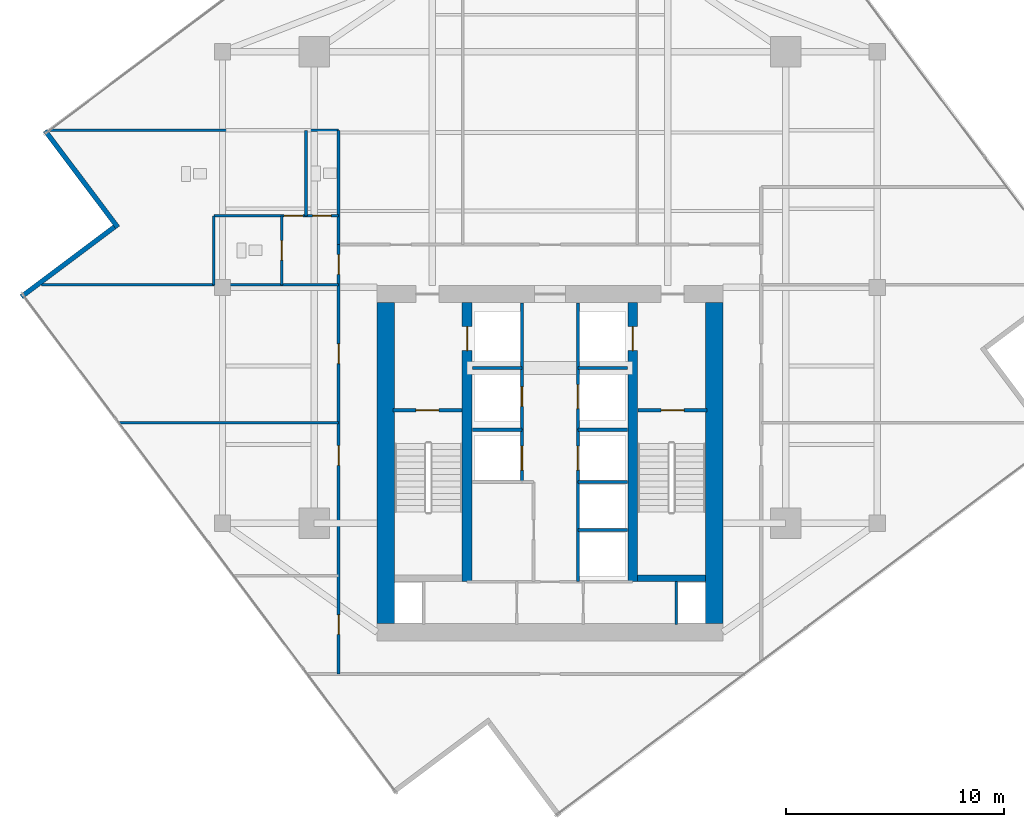
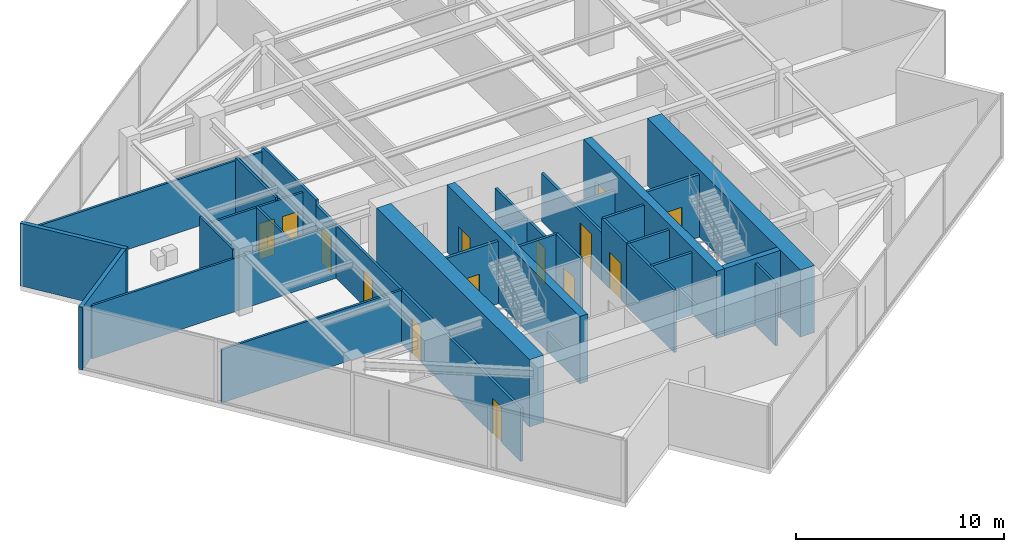
# One storey, part 18 of 21: 30 walls, 15 doors, 15 openings.
"""IFC4 building model written with IfcOpenShell, lengths in metres."""

import ifcopenshell
import ifcopenshell.guid

model = None  # the IFC model being written
_history = None  # IfcOwnerHistory: only IFC2X3 demands one
_inside = {}  # id of a spatial element -> (the spatial element, [elements in it])
_under = {}  # id of a project, library or spatial element -> (it, [spatial elements below it])
_declared = {}  # id of a project -> (the project, [libraries it declares])
_typed = {}  # id of a type object -> (the type object, [elements of that type])
_made_of = {}  # id of a material, layer set ... -> (it, [elements and type objects made of it])


def new_model(schema):
    """Start an empty IFC model of exactly this schema.

    Asked for "IFC4X3", IfcOpenShell would pick the latest addendum, in which some entities
    have other attributes; the version numbers below select the first issue.
    IFC2X3 requires an IfcOwnerHistory on every rooted entity: one is made here for all.
    """
    global model, _history
    if schema == "IFC4X3":
        model = ifcopenshell.file(schema_version=(4, 3, 0, 0))
    else:
        model = ifcopenshell.file(schema=schema)
    _inside.clear()
    _under.clear()
    _declared.clear()
    _typed.clear()
    _made_of.clear()
    _history = None
    if model.schema == "IFC2X3":
        org = make("IfcOrganization", Name="unknown")
        user = make(
            "IfcPersonAndOrganization",
            ThePerson=make("IfcPerson", FamilyName="unknown"),
            TheOrganization=org,
        )
        app = make(
            "IfcApplication",
            ApplicationDeveloper=org,
            Version="unknown",
            ApplicationFullName="unknown",
            ApplicationIdentifier="unknown",
        )
        _history = make(
            "IfcOwnerHistory",
            OwningUser=user,
            OwningApplication=app,
            ChangeAction="ADDED",
            CreationDate=0,
        )
    return model


def make(cls, **values):
    """One entity of the class cls with the attributes given. An attribute that is None is left unset."""
    return model.create_entity(
        cls, **{name: value for name, value in values.items() if value is not None}
    )


def rooted(cls, **values):
    """An entity with a GlobalId (a new one), such as an element, a storey or a relation."""
    return make(cls, GlobalId=ifcopenshell.guid.new(), OwnerHistory=_history, **values)


def si_unit(unit_type, name, prefix=None):
    """IfcSIUnit, for example si_unit("LENGTHUNIT", "METRE", prefix="MILLI")."""
    return make("IfcSIUnit", UnitType=unit_type, Prefix=prefix, Name=name)


def assignment(units):
    """IfcUnitAssignment: the units of a project."""
    return None if units is None else make("IfcUnitAssignment", Units=units)


def point(xyz):
    """IfcCartesianPoint."""
    return None if xyz is None else make("IfcCartesianPoint", Coordinates=xyz)


def direction(xyz):
    """IfcDirection."""
    return None if xyz is None else make("IfcDirection", DirectionRatios=xyz)


def frame(location, z_axis=None, x_axis=None):
    """IfcAxis2Placement3D, a coordinate frame: its origin and axes. An axis left out is left unset."""
    return make(
        "IfcAxis2Placement3D",
        Location=point(location),
        Axis=direction(z_axis),
        RefDirection=direction(x_axis),
    )


def frame_2d(location, x_axis=None):
    """IfcAxis2Placement2D, a coordinate frame in the plane: its origin and x axis."""
    return make(
        "IfcAxis2Placement2D", Location=point(location), RefDirection=direction(x_axis)
    )


def origin():
    """The frame at (0, 0, 0) with its axes left unset."""
    return frame((0.0, 0.0, 0.0))


def place(relative_to, where):
    """IfcLocalPlacement: puts the frame where relative to a parent placement (None: the world)."""
    return make(
        "IfcLocalPlacement", PlacementRelTo=relative_to, RelativePlacement=where
    )


def context(
    kind, dimensions, precision=None, world=None, true_north=None, identifier=None
):
    """IfcGeometricRepresentationContext, for example the 3D "Model" context."""
    return make(
        "IfcGeometricRepresentationContext",
        ContextIdentifier=identifier,
        ContextType=kind,
        CoordinateSpaceDimension=dimensions,
        Precision=precision,
        WorldCoordinateSystem=world,
        TrueNorth=true_north,
    )


def subcontext(parent, identifier, kind, view, scale=None):
    """IfcGeometricRepresentationSubContext, for example "Body" below "Model"."""
    return make(
        "IfcGeometricRepresentationSubContext",
        ContextIdentifier=identifier,
        ContextType=kind,
        ParentContext=parent,
        TargetScale=scale,
        TargetView=view,
    )


def project(units=None, contexts=None):
    """IfcProject with its units and contexts."""
    return rooted(
        "IfcProject",
        Name="project",
        RepresentationContexts=contexts,
        UnitsInContext=assignment(units),
    )


def spatial(cls, under=None, at=None, **own):
    """A site, building, storey or space (cls), placed at a placement, below another one or the project."""
    s = rooted(cls, ObjectPlacement=at, **own)
    if under is not None:
        _under.setdefault(under.id(), (under, []))[1].append(s)
    return s


def profile(cls, at=None, kind="AREA", **sizes):
    """A parametric profile (cls). Its sizes go by their IFC names, for example OverallWidth=200.0."""
    return make(cls, ProfileType=kind, Position=at, **sizes)


def rectangle(**sizes):
    """IfcRectangleProfileDef."""
    return profile("IfcRectangleProfileDef", **sizes)


def extrude(swept, where, along, depth):
    """IfcExtrudedAreaSolid: the profile swept, set in the frame where, extruded along a direction by depth."""
    return make(
        "IfcExtrudedAreaSolid",
        SweptArea=swept,
        Position=where,
        ExtrudedDirection=direction(along),
        Depth=depth,
    )


def shape(context_of_items, identifier, shape_type, items):
    """IfcShapeRepresentation: the items that make up one representation, for example the "Body"."""
    return make(
        "IfcShapeRepresentation",
        ContextOfItems=context_of_items,
        RepresentationIdentifier=identifier,
        RepresentationType=shape_type,
        Items=items,
    )


def material(Name=None, Category=None):
    """IfcMaterial."""
    return make("IfcMaterial", Name=Name, Category=Category)


def layer(
    of_material, thickness, ventilated=None, Name=None, Category=None, Priority=None
):
    """IfcMaterialLayer: one layer of a wall or slab, of a material (None: an air gap)."""
    return make(
        "IfcMaterialLayer",
        Material=of_material,
        LayerThickness=thickness,
        IsVentilated=ventilated,
        Name=Name,
        Category=Category,
        Priority=Priority,
    )


def layer_set(layers, Name=None):
    """IfcMaterialLayerSet."""
    return make("IfcMaterialLayerSet", MaterialLayers=layers, LayerSetName=Name)


def made_of(thing, what):
    """Note that an element or type object is made of a material, layer set ...; save() writes the relation."""
    if what is not None:
        _made_of.setdefault(what.id(), (what, []))[1].append(thing)
    return thing


def type_object(cls, material=None, **own):
    """A type object (cls), such as IfcWallType, which elements share."""
    return made_of(rooted(cls, **own), material)


def element(
    cls,
    number,
    at=None,
    inside=None,
    cuts=None,
    type_object=None,
    material=None,
    context=None,
    identifier="Body",
    shape_type=None,
    held_by="IfcProductDefinitionShape",
    body=None,
    shapes=None,
    **own,
):
    """One element of the class cls, such as IfcWall. Its Tag is "e" and its number.

    at: its placement. inside: the storey or other place that contains it. cuts: it is an
    opening in that element (IfcRelVoidsElement). A single representation is given by context,
    identifier, shape_type and body (its items); several are given by shapes. held_by: the class
    of the entity that holds the representations. save() writes the other relations.
    """
    e = rooted(cls, Tag="e%d" % number, ObjectPlacement=at, **own)
    if body is not None:
        shapes = [shape(context, identifier, shape_type, body)]
    if shapes is not None:
        e.Representation = make(held_by, Representations=shapes)
    if inside is not None:
        _inside.setdefault(inside.id(), (inside, []))[1].append(e)
    if cuts is not None:
        rooted(
            "IfcRelVoidsElement", RelatingBuildingElement=cuts, RelatedOpeningElement=e
        )
    if type_object is not None:
        _typed.setdefault(type_object.id(), (type_object, []))[1].append(e)
    return made_of(e, material)


def fill(opening, filler):
    """IfcRelFillsElement: the door or window that sits in an opening."""
    return rooted(
        "IfcRelFillsElement",
        RelatingOpeningElement=opening,
        RelatedBuildingElement=filler,
    )


def aggregate(whole, parts):
    """IfcRelAggregates: a whole, such as a stair, and the parts it consists of."""
    return rooted("IfcRelAggregates", RelatingObject=whole, RelatedObjects=parts)


def save(model, path):
    """Write the relations noted so far, then the file.

    IfcRelAggregates (storeys below a building ...), IfcRelContainedInSpatialStructure (elements
    in a storey), IfcRelDefinesByType, IfcRelAssociatesMaterial and IfcRelDeclares: one each for
    every whole, place, type object, material and project.
    """
    for whole, parts in _under.values():
        aggregate(whole, parts)
    for where, things in _inside.values():
        rooted(
            "IfcRelContainedInSpatialStructure",
            RelatedElements=things,
            RelatingStructure=where,
        )
    for kind, things in _typed.values():
        rooted("IfcRelDefinesByType", RelatedObjects=things, RelatingType=kind)
    for what, things in _made_of.values():
        rooted("IfcRelAssociatesMaterial", RelatedObjects=things, RelatingMaterial=what)
    for by, libraries in _declared.values():
        rooted("IfcRelDeclares", RelatingContext=by, RelatedDefinitions=libraries)
    model.write(path)


model = new_model("IFC4")

# Units and contexts
model_context = context("Model", 3, precision=1e-05, world=origin(), true_north=direction((0.0, 1.0)))
body_context = subcontext(model_context, "Body", "Model", "MODEL_VIEW")
ifc_project = project(units=[si_unit("LENGTHUNIT", "METRE"), si_unit("AREAUNIT", "SQUARE_METRE"), si_unit("VOLUMEUNIT", "CUBIC_METRE"), si_unit("PLANEANGLEUNIT", "RADIAN"), si_unit("MASSUNIT", "GRAM", prefix="KILO")], contexts=[model_context])

# Site, building, storey
site_placement = place(None, origin())
site = spatial("IfcSite", under=ifc_project, at=site_placement, CompositionType="ELEMENT")
building_placement = place(site_placement, origin())
building = spatial("IfcBuilding", under=site, at=building_placement, Name="Krantzveldt Concourse Tower", CompositionType="ELEMENT")
storey_placement = place(building_placement, frame((0.0, 0.0, 267.39990234375)))
storey = spatial("IfcBuildingStorey", under=building, at=storey_placement, Name="L65", CompositionType="ELEMENT", Elevation=267.39990234375)

# Walls
ifc_material_1 = material(Name="Anodised aluminium 6063-T6", Category="aluminium")
ifc_layer_1 = layer(ifc_material_1, 0.219970703125, Name="Anodised aluminium 6063-T6", Category="aluminium")
ifc_layer_set_1 = layer_set([ifc_layer_1], Name="Anodised aluminium 6063-T6 (WL-EXT-NOTCH220)")
wall_type_1 = type_object("IfcWallType", Name="WL-EXT-NOTCH220", PredefinedType="ELEMENTEDWALL", material=ifc_layer_set_1)
wall_1_placement = place(storey_placement, frame((12.872314453125, 33.884033203125, 0.0), z_axis=(0.0, 0.0, 1.0), x_axis=(0.600063399047, -0.799952446789, 0.0)))
element("IfcWall", 1, at=wall_1_placement, inside=storey, type_object=wall_type_1, Name="EW-L65-NCH02", PredefinedType="ELEMENTEDWALL", context=body_context, shape_type="SweptSolid", body=[
    extrude(rectangle(XDim=5.545166015625, YDim=0.219970703125, at=frame_2d((2.7724609375, 0.0))), origin(), (0.0, 0.0, 1.0), 3.670166015625),
])
wall_2_placement = place(storey_placement, frame((16.045654296875, 29.47021484375, 0.0), z_axis=(0.0, 0.0, 1.0), x_axis=(-0.799939474344, -0.600080692395, 0.0)))
element("IfcWall", 2, at=wall_2_placement, inside=storey, type_object=wall_type_1, Name="EW-L65-NCH03", PredefinedType="ELEMENTEDWALL", context=body_context, shape_type="SweptSolid", body=[
    extrude(rectangle(XDim=5.32470703125, YDim=0.219970703125, at=frame_2d((2.662353515625, 0.0))), origin(), (0.0, 0.0, 1.0), 3.670166015625),
])
ifc_material_2 = material(Name="Fire-rated gypsum plasterboard on steel stud", Category="steel")
ifc_layer_2 = layer(ifc_material_2, 0.1201171875, Name="Fire-rated gypsum plasterboard on steel stud", Category="steel")
ifc_layer_set_2 = layer_set([ifc_layer_2], Name="Fire-rated gypsum plasterboard on steel stud (WL-PART-120)")
wall_type_2 = type_object("IfcWallType", Name="WL-PART-120", PredefinedType="PARTITIONING", material=ifc_layer_set_2)
wall_3_placement = place(storey_placement, frame((12.704345703125, 26.820068359375, 0.0), z_axis=(0.0, 0.0, 1.0), x_axis=(1.0, 0.0, 0.0)))
element("IfcWall", 3, at=wall_3_placement, inside=storey, type_object=wall_type_2, Name="WP-L65-WCBS", PredefinedType="PARTITIONING", context=body_context, shape_type="SweptSolid", body=[
    extrude(rectangle(XDim=13.61572265625, YDim=0.1201171875, at=frame_2d((6.807861328125, 0.0))), origin(), (0.0, 0.0, 1.0), 3.130126953125),
])
wall_4_placement = place(storey_placement, frame((13.08544921875, 33.89990234375, 0.0), z_axis=(0.0, 0.0, 1.0), x_axis=(1.0, 0.0, 0.0)))
element("IfcWall", 4, at=wall_4_placement, inside=storey, type_object=wall_type_2, Name="WP-L65-WCBN", PredefinedType="PARTITIONING", context=body_context, shape_type="SweptSolid", body=[
    extrude(rectangle(XDim=13.234619140625, YDim=0.1201171875, at=frame_2d((6.6171875, 0.0))), origin(), (0.0, 0.0, 1.0), 3.130126953125),
])

# Wall, openings, doors
wall_5_placement = place(storey_placement, frame((20.60009765625, 29.97998046875, 0.0), z_axis=(0.0, 0.0, 1.0), x_axis=(1.0, 0.0, 0.0)))
wall_5 = element("IfcWall", 5, at=wall_5_placement, inside=storey, type_object=wall_type_2, Name="WP-L65-WCMH", PredefinedType="PARTITIONING", context=body_context, shape_type="SweptSolid", body=[
    extrude(rectangle(XDim=5.719970703125, YDim=0.1201171875, at=frame_2d((2.85986328125, 0.0))), origin(), (0.0, 0.0, 1.0), 3.130126953125),
])
opening_1_placement = place(wall_5_placement, frame((3.22509765625, 0.0, 0.0)))
opening_1 = element("IfcOpeningElement", 6, at=opening_1_placement, cuts=wall_5, Name="Opening D-IN085", PredefinedType="OPENING", context=body_context, shape_type="SweptSolid", body=[
    extrude(rectangle(XDim=0.85009765625, YDim=2.10009765625, at=frame_2d((0.425048828125, 1.050048828125))), frame((0.0, 0.070068359375, 0.0), z_axis=(0.0, -1.0, 0.0), x_axis=(1.0, 0.0, 0.0)), (0.0, 0.0, 1.0), 0.14013671875),
])
opening_2_placement = place(wall_5_placement, frame((4.52490234375, 0.0, 0.0)))
opening_2 = element("IfcOpeningElement", 7, at=opening_2_placement, cuts=wall_5, Name="Opening D-IN085", PredefinedType="OPENING", context=body_context, shape_type="SweptSolid", body=[
    extrude(rectangle(XDim=0.85009765625, YDim=2.10009765625, at=frame_2d((0.425048828125, 1.050048828125))), frame((0.0, 0.070068359375, 0.0), z_axis=(0.0, -1.0, 0.0), x_axis=(1.0, 0.0, 0.0)), (0.0, 0.0, 1.0), 0.14013671875),
])
ifc_material_3 = material(Name="Hardwood timber", Category="wood")
door_type_1 = type_object("IfcDoorType", Name="DR-INT-850", OperationType="SINGLE_SWING_LEFT", PredefinedType="DOOR", material=ifc_material_3)
door_1_placement = place(opening_1_placement, origin())
door_1 = element("IfcDoor", 8, at=door_1_placement, inside=storey, type_object=door_type_1, Name="DR-L65-WCM", OperationType="SINGLE_SWING_LEFT", OverallHeight=2.10009765625, OverallWidth=0.85009765625, PredefinedType="DOOR", context=body_context, shape_type="SweptSolid", body=[
    extrude(rectangle(XDim=0.85009765625, YDim=2.10009765625, at=frame_2d((0.425048828125, 1.050048828125))), frame((0.0, 0.02490234375, 0.0), z_axis=(0.0, -1.0, 0.0), x_axis=(1.0, 0.0, 0.0)), (0.0, 0.0, 1.0), 0.050048828125),
])
fill(opening_1, door_1)
door_2_placement = place(opening_2_placement, origin())
door_2 = element("IfcDoor", 9, at=door_2_placement, inside=storey, type_object=door_type_1, Name="DR-L65-WCF", OperationType="SINGLE_SWING_RIGHT", OverallHeight=2.10009765625, OverallWidth=0.85009765625, PredefinedType="DOOR", context=body_context, shape_type="SweptSolid", body=[
    extrude(rectangle(XDim=0.85009765625, YDim=2.10009765625, at=frame_2d((0.425048828125, 1.050048828125))), frame((0.0, 0.02490234375, 0.0), z_axis=(0.0, -1.0, 0.0), x_axis=(1.0, 0.0, 0.0)), (0.0, 0.0, 1.0), 0.050048828125),
])
fill(opening_2, door_2)

# Wall
wall_6_placement = place(storey_placement, frame((20.60009765625, 26.820068359375, 0.0), z_axis=(0.0, 0.0, 1.0), x_axis=(0.0, 1.0, 0.0)))
element("IfcWall", 10, at=wall_6_placement, inside=storey, type_object=wall_type_2, Name="WP-L65-WCAL", PredefinedType="PARTITIONING", context=body_context, shape_type="SweptSolid", body=[
    extrude(rectangle(XDim=3.159912109375, YDim=0.1201171875, at=frame_2d((1.580078125, 0.0))), origin(), (0.0, 0.0, 1.0), 3.670166015625),
])

# Wall, opening, door
wall_7_placement = place(storey_placement, frame((23.719970703125, 26.820068359375, 0.0), z_axis=(0.0, 0.0, 1.0), x_axis=(0.0, 1.0, 0.0)))
wall_7 = element("IfcWall", 11, at=wall_7_placement, inside=storey, type_object=wall_type_2, Name="WP-L65-WCAV", PredefinedType="PARTITIONING", context=body_context, shape_type="SweptSolid", body=[
    extrude(rectangle(XDim=3.159912109375, YDim=0.1201171875, at=frame_2d((1.580078125, 0.0))), origin(), (0.0, 0.0, 1.0), 3.18017578125),
])
opening_3_placement = place(wall_7_placement, frame((1.1298828125, 0.0, 0.0)))
opening_3 = element("IfcOpeningElement", 12, at=opening_3_placement, cuts=wall_7, Name="Opening D-IN090", PredefinedType="OPENING", context=body_context, shape_type="SweptSolid", body=[
    extrude(rectangle(XDim=0.89990234375, YDim=2.10009765625, at=frame_2d((0.449951171875, 1.050048828125))), frame((0.0, 0.070068359375, 0.0), z_axis=(0.0, -1.0, 0.0), x_axis=(1.0, 0.0, 0.0)), (0.0, 0.0, 1.0), 0.14013671875),
])
door_type_2 = type_object("IfcDoorType", Name="DR-INT-900", OperationType="SINGLE_SWING_LEFT", PredefinedType="DOOR", material=ifc_material_3)
door_3_placement = place(opening_3_placement, origin())
door_3 = element("IfcDoor", 13, at=door_3_placement, inside=storey, type_object=door_type_2, Name="DR-L65-WCA", OperationType="SINGLE_SWING_LEFT", OverallHeight=2.10009765625, OverallWidth=0.89990234375, PredefinedType="DOOR", context=body_context, shape_type="SweptSolid", body=[
    extrude(rectangle(XDim=0.89990234375, YDim=2.10009765625, at=frame_2d((0.449951171875, 1.050048828125))), frame((0.0, 0.02490234375, 0.0), z_axis=(0.0, -1.0, 0.0), x_axis=(1.0, 0.0, 0.0)), (0.0, 0.0, 1.0), 0.050048828125),
])
fill(opening_3, door_3)

# Walls
wall_8_placement = place(storey_placement, frame((24.820068359375, 29.97998046875, 0.0), z_axis=(0.0, 0.0, 1.0), x_axis=(0.0, 1.0, 0.0)))
element("IfcWall", 14, at=wall_8_placement, inside=storey, type_object=wall_type_2, Name="WP-L65-WCFD", PredefinedType="PARTITIONING", context=body_context, shape_type="SweptSolid", body=[
    extrude(rectangle(XDim=3.919921875, YDim=0.1201171875, at=frame_2d((1.9599609375, 0.0))), origin(), (0.0, 0.0, 1.0), 3.31005859375),
])
wall_9_placement = place(storey_placement, frame((16.26171875, 20.5, 0.0), z_axis=(0.0, 0.0, 1.0), x_axis=(1.0, 0.0, 0.0)))
element("IfcWall", 15, at=wall_9_placement, inside=storey, type_object=wall_type_2, Name="WP-L65-WD2", PredefinedType="PARTITIONING", context=body_context, shape_type="SweptSolid", body=[
    extrude(rectangle(XDim=10.058349609375, YDim=0.1201171875, at=frame_2d((5.029296875, 0.0))), origin(), (0.0, 0.0, 1.0), 3.130126953125),
])

# Wall, openings, doors
ifc_layer_3 = layer(ifc_material_2, 0.139892578125, Name="Fire-rated gypsum plasterboard on steel stud", Category="steel")
ifc_layer_set_3 = layer_set([ifc_layer_3], Name="Fire-rated gypsum plasterboard on steel stud (WL-PART-140)")
wall_type_3 = type_object("IfcWallType", Name="WL-PART-140", PredefinedType="PARTITIONING", material=ifc_layer_set_3)
wall_10_placement = place(storey_placement, frame((26.320068359375, 9.0, 0.0), z_axis=(0.0, 0.0, 1.0), x_axis=(0.0, 1.0, 0.0)))
wall_10 = element("IfcWall", 16, at=wall_10_placement, inside=storey, type_object=wall_type_3, Name="WP-L65-CWEST", PredefinedType="PARTITIONING", context=body_context, shape_type="SweptSolid", body=[
    extrude(rectangle(XDim=19.659912109375, YDim=0.139892578125, at=frame_2d((9.830078125, 0.0))), origin(), (0.0, 0.0, 1.0), 3.130126953125),
])
opening_4_placement = place(wall_10_placement, frame((18.300048828125, 0.0, 0.0)))
opening_4 = element("IfcOpeningElement", 17, at=opening_4_placement, cuts=wall_10, Name="Opening D-IN090", PredefinedType="OPENING", context=body_context, shape_type="SweptSolid", body=[
    extrude(rectangle(XDim=0.89990234375, YDim=2.10009765625, at=frame_2d((0.449951171875, 1.050048828125))), frame((0.0, 0.080078125, 0.0), z_axis=(0.0, -1.0, 0.0), x_axis=(1.0, 0.0, 0.0)), (0.0, 0.0, 1.0), 0.159912109375),
])
opening_5_placement = place(wall_10_placement, frame((1.800048828125, 0.0, 0.0)))
opening_5 = element("IfcOpeningElement", 18, at=opening_5_placement, cuts=wall_10, Name="Opening D-IN090", PredefinedType="OPENING", context=body_context, shape_type="SweptSolid", body=[
    extrude(rectangle(XDim=0.89990234375, YDim=2.10009765625, at=frame_2d((0.449951171875, 1.050048828125))), frame((0.0, 0.080078125, 0.0), z_axis=(0.0, -1.0, 0.0), x_axis=(1.0, 0.0, 0.0)), (0.0, 0.0, 1.0), 0.159912109375),
])
opening_6_placement = place(wall_10_placement, frame((9.550048828125, 0.0, 0.0)))
opening_6 = element("IfcOpeningElement", 19, at=opening_6_placement, cuts=wall_10, Name="Opening D-IN090", PredefinedType="OPENING", context=body_context, shape_type="SweptSolid", body=[
    extrude(rectangle(XDim=0.89990234375, YDim=2.10009765625, at=frame_2d((0.449951171875, 1.050048828125))), frame((0.0, 0.080078125, 0.0), z_axis=(0.0, -1.0, 0.0), x_axis=(1.0, 0.0, 0.0)), (0.0, 0.0, 1.0), 0.159912109375),
])
opening_7_placement = place(wall_10_placement, frame((14.2099609375, 0.0, 0.0)))
opening_7 = element("IfcOpeningElement", 20, at=opening_7_placement, cuts=wall_10, Name="Opening D-IN090", PredefinedType="OPENING", context=body_context, shape_type="SweptSolid", body=[
    extrude(rectangle(XDim=0.89990234375, YDim=2.10009765625, at=frame_2d((0.449951171875, 1.050048828125))), frame((0.0, 0.080078125, 0.0), z_axis=(0.0, -1.0, 0.0), x_axis=(1.0, 0.0, 0.0)), (0.0, 0.0, 1.0), 0.159912109375),
])
door_4_placement = place(opening_4_placement, origin())
door_4 = element("IfcDoor", 21, at=door_4_placement, inside=storey, type_object=door_type_2, Name="DR-L65-WCV", OperationType="SINGLE_SWING_LEFT", OverallHeight=2.10009765625, OverallWidth=0.89990234375, PredefinedType="DOOR", context=body_context, shape_type="SweptSolid", body=[
    extrude(rectangle(XDim=0.89990234375, YDim=2.10009765625, at=frame_2d((0.449951171875, 1.050048828125))), frame((0.0, 0.02490234375, 0.0), z_axis=(0.0, -1.0, 0.0), x_axis=(1.0, 0.0, 0.0)), (0.0, 0.0, 1.0), 0.050048828125),
])
fill(opening_4, door_4)
door_5_placement = place(opening_5_placement, origin())
door_5 = element("IfcDoor", 22, at=door_5_placement, inside=storey, type_object=door_type_2, Name="DR-L65-WR1", OperationType="SINGLE_SWING_LEFT", OverallHeight=2.10009765625, OverallWidth=0.89990234375, PredefinedType="DOOR", context=body_context, shape_type="SweptSolid", body=[
    extrude(rectangle(XDim=0.89990234375, YDim=2.10009765625, at=frame_2d((0.449951171875, 1.050048828125))), frame((0.0, 0.02490234375, 0.0), z_axis=(0.0, -1.0, 0.0), x_axis=(1.0, 0.0, 0.0)), (0.0, 0.0, 1.0), 0.050048828125),
])
fill(opening_5, door_5)
door_6_placement = place(opening_6_placement, origin())
door_6 = element("IfcDoor", 23, at=door_6_placement, inside=storey, type_object=door_type_2, Name="DR-L65-WR2", OperationType="SINGLE_SWING_LEFT", OverallHeight=2.10009765625, OverallWidth=0.89990234375, PredefinedType="DOOR", context=body_context, shape_type="SweptSolid", body=[
    extrude(rectangle(XDim=0.89990234375, YDim=2.10009765625, at=frame_2d((0.449951171875, 1.050048828125))), frame((0.0, 0.02490234375, 0.0), z_axis=(0.0, -1.0, 0.0), x_axis=(1.0, 0.0, 0.0)), (0.0, 0.0, 1.0), 0.050048828125),
])
fill(opening_6, door_6)
door_7_placement = place(opening_7_placement, origin())
door_7 = element("IfcDoor", 24, at=door_7_placement, inside=storey, type_object=door_type_2, Name="DR-L65-WR3", OperationType="SINGLE_SWING_LEFT", OverallHeight=2.10009765625, OverallWidth=0.89990234375, PredefinedType="DOOR", context=body_context, shape_type="SweptSolid", body=[
    extrude(rectangle(XDim=0.89990234375, YDim=2.10009765625, at=frame_2d((0.449951171875, 1.050048828125))), frame((0.0, 0.02490234375, 0.0), z_axis=(0.0, -1.0, 0.0), x_axis=(1.0, 0.0, 0.0)), (0.0, 0.0, 1.0), 0.050048828125),
])
fill(opening_7, door_7)

# Wall
wall_11_placement = place(storey_placement, frame((26.320068359375, 28.659912109375, 0.0), z_axis=(0.0, 0.0, 1.0), x_axis=(0.0, 1.0, 0.0)))
element("IfcWall", 25, at=wall_11_placement, inside=storey, type_object=wall_type_3, Name="WP-L65-NWL", PredefinedType="PARTITIONING", context=body_context, shape_type="SweptSolid", body=[
    extrude(rectangle(XDim=5.239990234375, YDim=0.139892578125, at=frame_2d((2.6201171875, 0.0))), origin(), (0.0, 0.0, 1.0), 3.43017578125),
])

# Wall, opening, door
ifc_layer_4 = layer(ifc_material_2, 0.139892578125, Name="Fire-rated gypsum plasterboard on steel stud", Category="steel")
ifc_layer_set_4 = layer_set([ifc_layer_4], Name="Fire-rated gypsum plasterboard on steel stud (WL-PART-FR140)")
wall_type_4 = type_object("IfcWallType", Name="WL-PART-FR140", PredefinedType="PARTITIONING", material=ifc_layer_set_4)
wall_12_placement = place(storey_placement, frame((34.719970703125, 20.199951171875, 0.0), z_axis=(0.0, 0.0, 1.0), x_axis=(0.0, 1.0, 0.0)))
wall_12 = element("IfcWall", 26, at=wall_12_placement, inside=storey, type_object=wall_type_4, Name="WP-L65-SHNW", PredefinedType="PARTITIONING", context=body_context, shape_type="SweptSolid", body=[
    extrude(rectangle(XDim=5.780029296875, YDim=0.139892578125, at=frame_2d((2.89013671875, 0.0))), origin(), (0.0, 0.0, 1.0), 2.820068359375),
])
opening_8_placement = place(wall_12_placement, frame((1.050048828125, 0.0, 0.0)))
opening_8 = element("IfcOpeningElement", 27, at=opening_8_placement, cuts=wall_12, Name="Opening D-FD090", PredefinedType="OPENING", context=body_context, shape_type="SweptSolid", body=[
    extrude(rectangle(XDim=0.89990234375, YDim=2.10009765625, at=frame_2d((0.449951171875, 1.050048828125))), frame((0.0, 0.080078125, 0.0), z_axis=(0.0, -1.0, 0.0), x_axis=(1.0, 0.0, 0.0)), (0.0, 0.0, 1.0), 0.159912109375),
])
door_type_3 = type_object("IfcDoorType", Name="DR-FD60-900", OperationType="SINGLE_SWING_LEFT", PredefinedType="DOOR", material=ifc_material_3)
door_8_placement = place(opening_8_placement, origin())
door_8 = element("IfcDoor", 28, at=door_8_placement, inside=storey, type_object=door_type_3, Name="Electrical Riser Access Door L65", OperationType="SINGLE_SWING_LEFT", OverallHeight=2.10009765625, OverallWidth=0.89990234375, PredefinedType="DOOR", context=body_context, shape_type="SweptSolid", body=[
    extrude(rectangle(XDim=0.89990234375, YDim=2.10009765625, at=frame_2d((0.449951171875, 1.050048828125))), frame((0.0, 0.02490234375, 0.0), z_axis=(0.0, -1.0, 0.0), x_axis=(1.0, 0.0, 0.0)), (0.0, 0.0, 1.0), 0.050048828125),
])
fill(opening_8, door_8)

wall_13_placement = place(storey_placement, frame((37.280029296875, 20.199951171875, 0.0), z_axis=(0.0, 0.0, 1.0), x_axis=(0.0, 1.0, 0.0)))
wall_13 = element("IfcWall", 29, at=wall_13_placement, inside=storey, type_object=wall_type_4, Name="WP-L65-SHNE", PredefinedType="PARTITIONING", context=body_context, shape_type="SweptSolid", body=[
    extrude(rectangle(XDim=5.780029296875, YDim=0.139892578125, at=frame_2d((2.89013671875, 0.0))), origin(), (0.0, 0.0, 1.0), 2.820068359375),
])
opening_9_placement = place(wall_13_placement, frame((0.949951171875, 0.0, 0.0)))
opening_9 = element("IfcOpeningElement", 30, at=opening_9_placement, cuts=wall_13, Name="Opening LD", PredefinedType="OPENING", context=body_context, shape_type="SweptSolid", body=[
    extrude(rectangle(XDim=1.10009765625, YDim=2.14990234375, at=frame_2d((0.550048828125, 1.074951171875))), frame((0.0, 0.080078125, 0.0), z_axis=(0.0, -1.0, 0.0), x_axis=(1.0, 0.0, 0.0)), (0.0, 0.0, 1.0), 0.159912109375),
])
ifc_material_4 = material(Name="Stainless steel 316L", Category="steel")
door_type_4 = type_object("IfcDoorType", Name="DR-SLIDE-LD1100", OperationType="DOUBLE_DOOR_SLIDING", PredefinedType="DOOR", material=ifc_material_4)
door_9_placement = place(opening_9_placement, origin())
door_9 = element("IfcDoor", 31, at=door_9_placement, inside=storey, type_object=door_type_4, Name="LD-L65-GL1", OperationType="DOUBLE_DOOR_SLIDING", OverallHeight=2.14990234375, OverallWidth=1.10009765625, PredefinedType="DOOR", context=body_context, shape_type="SweptSolid", body=[
    extrude(rectangle(XDim=1.10009765625, YDim=2.14990234375, at=frame_2d((0.550048828125, 1.074951171875))), frame((0.0, 0.02490234375, 0.0), z_axis=(0.0, -1.0, 0.0), x_axis=(1.0, 0.0, 0.0)), (0.0, 0.0, 1.0), 0.050048828125),
])
fill(opening_9, door_9)

# Walls
for number, where, z_axis, x_axis, name in (
    (32, (32.449951171875, 23.0, 0.0), (0.0, 0.0, 1.0), (1.0, 0.0, 0.0), "WP-L65-RISH"),
    (33, (37.280029296875, 23.0, 0.0), (0.0, 0.0, 1.0), (1.0, 0.0, 0.0), "WP-L65-GLH"),
):
    element("IfcWall", number, at=place(storey_placement, frame(where, z_axis=z_axis, x_axis=x_axis)), inside=storey, type_object=wall_type_4, Name=name, PredefinedType="PARTITIONING", context=body_context, shape_type="SweptSolid", body=[
        extrude(rectangle(XDim=2.27001953125, YDim=0.139892578125, at=frame_2d((1.135009765625, 0.0))), origin(), (0.0, 0.0, 1.0), 2.820068359375),
    ])

# Wall, opening, door
wall_14_placement = place(storey_placement, frame((34.719970703125, 17.780029296875, 0.0), z_axis=(0.0, 0.0, 1.0), x_axis=(0.0, 1.0, 0.0)))
wall_14 = element("IfcWall", 34, at=wall_14_placement, inside=storey, type_object=wall_type_4, Name="WP-L65-SHNW2", PredefinedType="PARTITIONING", context=body_context, shape_type="SweptSolid", body=[
    extrude(rectangle(XDim=2.419921875, YDim=0.139892578125, at=frame_2d((1.2099609375, 0.0))), origin(), (0.0, 0.0, 1.0), 3.670166015625),
])
opening_10_placement = place(wall_14_placement, frame((0.550048828125, 0.0, 0.0)))
opening_10 = element("IfcOpeningElement", 35, at=opening_10_placement, cuts=wall_14, Name="Opening LD", PredefinedType="OPENING", context=body_context, shape_type="SweptSolid", body=[
    extrude(rectangle(XDim=1.10009765625, YDim=2.14990234375, at=frame_2d((0.550048828125, 1.074951171875))), frame((0.0, 0.080078125, 0.0), z_axis=(0.0, -1.0, 0.0), x_axis=(1.0, 0.0, 0.0)), (0.0, 0.0, 1.0), 0.159912109375),
])
door_10_placement = place(opening_10_placement, origin())
door_10 = element("IfcDoor", 36, at=door_10_placement, inside=storey, type_object=door_type_4, Name="LD-L65-PH1", OperationType="DOUBLE_DOOR_SLIDING", OverallHeight=2.14990234375, OverallWidth=1.10009765625, PredefinedType="DOOR", context=body_context, shape_type="SweptSolid", body=[
    extrude(rectangle(XDim=1.10009765625, YDim=2.14990234375, at=frame_2d((0.550048828125, 1.074951171875))), frame((0.0, 0.02490234375, 0.0), z_axis=(0.0, -1.0, 0.0), x_axis=(1.0, 0.0, 0.0)), (0.0, 0.0, 1.0), 0.050048828125),
])
fill(opening_10, door_10)

wall_15_placement = place(storey_placement, frame((37.280029296875, 17.780029296875, 0.0), z_axis=(0.0, 0.0, 1.0), x_axis=(0.0, 1.0, 0.0)))
wall_15 = element("IfcWall", 37, at=wall_15_placement, inside=storey, type_object=wall_type_4, Name="WP-L65-SHNE2", PredefinedType="PARTITIONING", context=body_context, shape_type="SweptSolid", body=[
    extrude(rectangle(XDim=2.419921875, YDim=0.139892578125, at=frame_2d((1.2099609375, 0.0))), origin(), (0.0, 0.0, 1.0), 3.670166015625),
])
opening_11_placement = place(wall_15_placement, frame((0.550048828125, 0.0, 0.0)))
opening_11 = element("IfcOpeningElement", 38, at=opening_11_placement, cuts=wall_15, Name="Opening LD", PredefinedType="OPENING", context=body_context, shape_type="SweptSolid", body=[
    extrude(rectangle(XDim=1.10009765625, YDim=2.14990234375, at=frame_2d((0.550048828125, 1.074951171875))), frame((0.0, 0.080078125, 0.0), z_axis=(0.0, -1.0, 0.0), x_axis=(1.0, 0.0, 0.0)), (0.0, 0.0, 1.0), 0.159912109375),
])
door_11_placement = place(opening_11_placement, origin())
door_11 = element("IfcDoor", 39, at=door_11_placement, inside=storey, type_object=door_type_4, Name="LD-L65-PH2", OperationType="DOUBLE_DOOR_SLIDING", OverallHeight=2.14990234375, OverallWidth=1.10009765625, PredefinedType="DOOR", context=body_context, shape_type="SweptSolid", body=[
    extrude(rectangle(XDim=1.10009765625, YDim=2.14990234375, at=frame_2d((0.550048828125, 1.074951171875))), frame((0.0, 0.02490234375, 0.0), z_axis=(0.0, -1.0, 0.0), x_axis=(1.0, 0.0, 0.0)), (0.0, 0.0, 1.0), 0.050048828125),
])
fill(opening_11, door_11)

# Walls
for number, where, z_axis, x_axis, name in (
    (40, (32.449951171875, 20.179931640625, 0.0), (0.0, 0.0, 1.0), (1.0, 0.0, 0.0), "WP-L65-DIVW3"),
    (41, (37.280029296875, 17.780029296875, 0.0), (0.0, 0.0, 1.0), (1.0, 0.0, 0.0), "WP-L65-DIVE2"),
    (42, (37.280029296875, 20.179931640625, 0.0), (0.0, 0.0, 1.0), (1.0, 0.0, 0.0), "WP-L65-DIVE3"),
):
    element("IfcWall", number, at=place(storey_placement, frame(where, z_axis=z_axis, x_axis=x_axis)), inside=storey, type_object=wall_type_4, Name=name, PredefinedType="PARTITIONING", context=body_context, shape_type="SweptSolid", body=[
        extrude(rectangle(XDim=2.27001953125, YDim=0.139892578125, at=frame_2d((1.135009765625, 0.0))), origin(), (0.0, 0.0, 1.0), 3.670166015625),
    ])
wall_16_placement = place(storey_placement, frame((37.280029296875, 13.219970703125, 0.0), z_axis=(0.0, 0.0, 1.0), x_axis=(0.0, 1.0, 0.0)))
element("IfcWall", 43, at=wall_16_placement, inside=storey, type_object=wall_type_4, Name="WP-L65-SHSE", PredefinedType="PARTITIONING", context=body_context, shape_type="SweptSolid", body=[
    extrude(rectangle(XDim=4.56005859375, YDim=0.139892578125, at=frame_2d((2.280029296875, 0.0))), origin(), (0.0, 0.0, 1.0), 3.670166015625),
])
wall_17_placement = place(storey_placement, frame((37.280029296875, 15.580078125, 0.0), z_axis=(0.0, 0.0, 1.0), x_axis=(1.0, 0.0, 0.0)))
element("IfcWall", 44, at=wall_17_placement, inside=storey, type_object=wall_type_4, Name="WP-L65-DIVE1", PredefinedType="PARTITIONING", context=body_context, shape_type="SweptSolid", body=[
    extrude(rectangle(XDim=2.27001953125, YDim=0.139892578125, at=frame_2d((1.135009765625, 0.0))), origin(), (0.0, 0.0, 1.0), 3.670166015625),
])
wall_18_placement = place(storey_placement, frame((41.780029296875, 11.25, 0.0), z_axis=(0.0, 0.0, 1.0), x_axis=(0.0, 1.0, 0.0)))
element("IfcWall", 45, at=wall_18_placement, inside=storey, type_object=wall_type_4, Name="WP-L65-RSE", PredefinedType="PARTITIONING", context=body_context, shape_type="SweptSolid", body=[
    extrude(rectangle(XDim=1.969970703125, YDim=0.1201171875, at=frame_2d((0.98486328125, 0.0))), origin(), (0.0, 0.0, 1.0), 3.670166015625),
])

# Wall, opening, door
ifc_layer_5 = layer(ifc_material_2, 0.159912109375, Name="Fire-rated gypsum plasterboard on steel stud", Category="steel")
ifc_layer_set_5 = layer_set([ifc_layer_5], Name="Fire-rated gypsum plasterboard on steel stud (WL-PART-FR160)")
wall_type_5 = type_object("IfcWallType", Name="WL-PART-FR160", PredefinedType="PARTITIONING", material=ifc_layer_set_5)
wall_19_placement = place(storey_placement, frame((28.800048828125, 21.080078125, 0.0), z_axis=(0.0, 0.0, 1.0), x_axis=(1.0, 0.0, 0.0)))
wall_19 = element("IfcWall", 46, at=wall_19_placement, inside=storey, type_object=wall_type_5, Name="WP-L65-ST1", PredefinedType="PARTITIONING", context=body_context, shape_type="SweptSolid", body=[
    extrude(rectangle(XDim=3.159912109375, YDim=0.159912109375, at=frame_2d((1.580078125, 0.0))), origin(), (0.0, 0.0, 1.0), 3.670166015625),
])
opening_12_placement = place(wall_19_placement, frame((1.054931640625, 0.0, 0.0)))
opening_12 = element("IfcOpeningElement", 47, at=opening_12_placement, cuts=wall_19, Name="Opening D-FD105", PredefinedType="OPENING", context=body_context, shape_type="SweptSolid", body=[
    extrude(rectangle(XDim=1.050048828125, YDim=2.10009765625, at=frame_2d((0.52490234375, 1.050048828125))), frame((0.0, 0.08984375, 0.0), z_axis=(0.0, -1.0, 0.0), x_axis=(1.0, 0.0, 0.0)), (0.0, 0.0, 1.0), 0.179931640625),
])
ifc_material_5 = material(Name="Galvanised steel", Category="steel")
door_type_5 = type_object("IfcDoorType", Name="DR-FD120-1050", OperationType="SINGLE_SWING_LEFT", PredefinedType="DOOR", material=ifc_material_5)
door_12_placement = place(opening_12_placement, origin())
door_12 = element("IfcDoor", 48, at=door_12_placement, inside=storey, type_object=door_type_5, Name="DR-L65-ST1", OperationType="SINGLE_SWING_RIGHT", OverallHeight=2.10009765625, OverallWidth=1.050048828125, PredefinedType="DOOR", context=body_context, shape_type="SweptSolid", body=[
    extrude(rectangle(XDim=1.050048828125, YDim=2.10009765625, at=frame_2d((0.52490234375, 1.050048828125))), frame((0.0, 0.02490234375, 0.0), z_axis=(0.0, -1.0, 0.0), x_axis=(1.0, 0.0, 0.0)), (0.0, 0.0, 1.0), 0.050048828125),
])
fill(opening_12, door_12)

wall_20_placement = place(storey_placement, frame((40.0400390625, 21.080078125, 0.0), z_axis=(0.0, 0.0, 1.0), x_axis=(1.0, 0.0, 0.0)))
wall_20 = element("IfcWall", 49, at=wall_20_placement, inside=storey, type_object=wall_type_5, Name="WP-L65-ST2", PredefinedType="PARTITIONING", context=body_context, shape_type="SweptSolid", body=[
    extrude(rectangle(XDim=3.159912109375, YDim=0.159912109375, at=frame_2d((1.580078125, 0.0))), origin(), (0.0, 0.0, 1.0), 3.670166015625),
])
opening_13_placement = place(wall_20_placement, frame((1.054931640625, 0.0, 0.0)))
opening_13 = element("IfcOpeningElement", 50, at=opening_13_placement, cuts=wall_20, Name="Opening D-FD105", PredefinedType="OPENING", context=body_context, shape_type="SweptSolid", body=[
    extrude(rectangle(XDim=1.050048828125, YDim=2.10009765625, at=frame_2d((0.52490234375, 1.050048828125))), frame((0.0, 0.08984375, 0.0), z_axis=(0.0, -1.0, 0.0), x_axis=(1.0, 0.0, 0.0)), (0.0, 0.0, 1.0), 0.179931640625),
])
door_13_placement = place(opening_13_placement, origin())
door_13 = element("IfcDoor", 51, at=door_13_placement, inside=storey, type_object=door_type_5, Name="DR-L65-ST2", OperationType="SINGLE_SWING_LEFT", OverallHeight=2.10009765625, OverallWidth=1.050048828125, PredefinedType="DOOR", context=body_context, shape_type="SweptSolid", body=[
    extrude(rectangle(XDim=1.050048828125, YDim=2.10009765625, at=frame_2d((0.52490234375, 1.050048828125))), frame((0.0, 0.02490234375, 0.0), z_axis=(0.0, -1.0, 0.0), x_axis=(1.0, 0.0, 0.0)), (0.0, 0.0, 1.0), 0.050048828125),
])
fill(opening_13, door_13)

# Wall
ifc_material_6 = material(Name="Concrete C50/60", Category="concrete")
ifc_layer_6 = layer(ifc_material_6, 0.300048828125, Name="Concrete C50/60", Category="concrete")
ifc_layer_set_6 = layer_set([ifc_layer_6], Name="Concrete C50/60 (WL-SHEAR-300)")
wall_type_6 = type_object("IfcWallType", Name="WL-SHEAR-300", PredefinedType="SHEAR", material=ifc_layer_set_6)
wall_21_placement = place(storey_placement, frame((40.02001953125, 13.3701171875, 0.0), z_axis=(0.0, 0.0, 1.0), x_axis=(1.0, 0.0, 0.0)))
element("IfcWall", 52, at=wall_21_placement, inside=storey, type_object=wall_type_6, Name="CW-L65-ST2S", PredefinedType="SHEAR", context=body_context, shape_type="SweptSolid", body=[
    extrude(rectangle(XDim=3.10009765625, YDim=0.300048828125, at=frame_2d((1.550048828125, 0.0))), origin(), (0.0, 0.0, 1.0), 3.9501953125),
])

# Wall, opening, door
ifc_layer_7 = layer(ifc_material_6, 0.449951171875, Name="Concrete C50/60", Category="concrete")
ifc_layer_set_7 = layer_set([ifc_layer_7], Name="Concrete C50/60 (WL-SHEAR-450)")
wall_type_7 = type_object("IfcWallType", Name="WL-SHEAR-450", PredefinedType="SHEAR", material=ifc_layer_set_7)
wall_22_placement = place(storey_placement, frame((32.205078125, 13.219970703125, 0.0), z_axis=(0.0, 0.0, 1.0), x_axis=(0.0, 1.0, 0.0)))
wall_22 = element("IfcWall", 53, at=wall_22_placement, inside=storey, type_object=wall_type_7, Name="CW-L65-IW", PredefinedType="SHEAR", context=body_context, shape_type="SweptSolid", body=[
    extrude(rectangle(XDim=12.780029296875, YDim=0.449951171875, at=frame_2d((6.39013671875, 0.0))), origin(), (0.0, 0.0, 1.0), 3.9501953125),
])
opening_14_placement = place(wall_22_placement, frame((10.580078125, 0.0, 0.0)))
opening_14 = element("IfcOpeningElement", 54, at=opening_14_placement, cuts=wall_22, Name="Opening LD", PredefinedType="OPENING", context=body_context, shape_type="SweptSolid", body=[
    extrude(rectangle(XDim=1.10009765625, YDim=2.14990234375, at=frame_2d((0.550048828125, 1.074951171875))), frame((0.0, 0.23486328125, 0.0), z_axis=(0.0, -1.0, 0.0), x_axis=(1.0, 0.0, 0.0)), (0.0, 0.0, 1.0), 0.469970703125),
])
door_14_placement = place(opening_14_placement, origin())
door_14 = element("IfcDoor", 55, at=door_14_placement, inside=storey, type_object=door_type_4, Name="LD-L65-FL1", OperationType="DOUBLE_DOOR_SLIDING", OverallHeight=2.14990234375, OverallWidth=1.10009765625, PredefinedType="DOOR", context=body_context, shape_type="SweptSolid", body=[
    extrude(rectangle(XDim=1.10009765625, YDim=2.14990234375, at=frame_2d((0.550048828125, 1.074951171875))), frame((0.0, 0.02490234375, 0.0), z_axis=(0.0, -1.0, 0.0), x_axis=(1.0, 0.0, 0.0)), (0.0, 0.0, 1.0), 0.050048828125),
])
fill(opening_14, door_14)

wall_23_placement = place(storey_placement, frame((39.794921875, 13.219970703125, 0.0), z_axis=(0.0, 0.0, 1.0), x_axis=(0.0, 1.0, 0.0)))
wall_23 = element("IfcWall", 56, at=wall_23_placement, inside=storey, type_object=wall_type_7, Name="CW-L65-IE", PredefinedType="SHEAR", context=body_context, shape_type="SweptSolid", body=[
    extrude(rectangle(XDim=12.780029296875, YDim=0.449951171875, at=frame_2d((6.39013671875, 0.0))), origin(), (0.0, 0.0, 1.0), 3.9501953125),
])
opening_15_placement = place(wall_23_placement, frame((10.580078125, 0.0, 0.0)))
opening_15 = element("IfcOpeningElement", 57, at=opening_15_placement, cuts=wall_23, Name="Opening LD", PredefinedType="OPENING", context=body_context, shape_type="SweptSolid", body=[
    extrude(rectangle(XDim=1.10009765625, YDim=2.14990234375, at=frame_2d((0.550048828125, 1.074951171875))), frame((0.0, 0.23486328125, 0.0), z_axis=(0.0, -1.0, 0.0), x_axis=(1.0, 0.0, 0.0)), (0.0, 0.0, 1.0), 0.469970703125),
])
door_15_placement = place(opening_15_placement, origin())
door_15 = element("IfcDoor", 58, at=door_15_placement, inside=storey, type_object=door_type_4, Name="LD-L65-FL2", OperationType="DOUBLE_DOOR_SLIDING", OverallHeight=2.14990234375, OverallWidth=1.10009765625, PredefinedType="DOOR", context=body_context, shape_type="SweptSolid", body=[
    extrude(rectangle(XDim=1.10009765625, YDim=2.14990234375, at=frame_2d((0.550048828125, 1.074951171875))), frame((0.0, 0.02490234375, 0.0), z_axis=(0.0, -1.0, 0.0), x_axis=(1.0, 0.0, 0.0)), (0.0, 0.0, 1.0), 0.050048828125),
])
fill(opening_15, door_15)

# Walls
ifc_material_7 = material(Name="Concrete C60/75", Category="concrete")
ifc_layer_8 = layer(ifc_material_7, 0.800048828125, Name="Concrete C60/75", Category="concrete")
ifc_layer_set_8 = layer_set([ifc_layer_8], Name="Concrete C60/75 (WL-SHEAR-800)")
wall_type_8 = type_object("IfcWallType", Name="WL-SHEAR-800", PredefinedType="SHEAR", material=ifc_layer_set_8)
for number, where, z_axis, x_axis, name in (
    (59, (28.47998046875, 11.300048828125, 0.0), (0.0, 0.0, 1.0), (0.0, 1.0, 0.0), "CW-L65-W"),
    (60, (43.52001953125, 11.300048828125, 0.0), (0.0, 0.0, 1.0), (0.0, 1.0, 0.0), "CW-L65-E"),
):
    element("IfcWall", number, at=place(storey_placement, frame(where, z_axis=z_axis, x_axis=x_axis)), inside=storey, type_object=wall_type_8, Name=name, PredefinedType="SHEAR", context=body_context, shape_type="SweptSolid", body=[
        extrude(rectangle(XDim=14.699951171875, YDim=0.800048828125, at=frame_2d((7.35009765625, 0.0))), origin(), (0.0, 0.0, 1.0), 3.9501953125),
    ])

save(model, "model.ifc")
